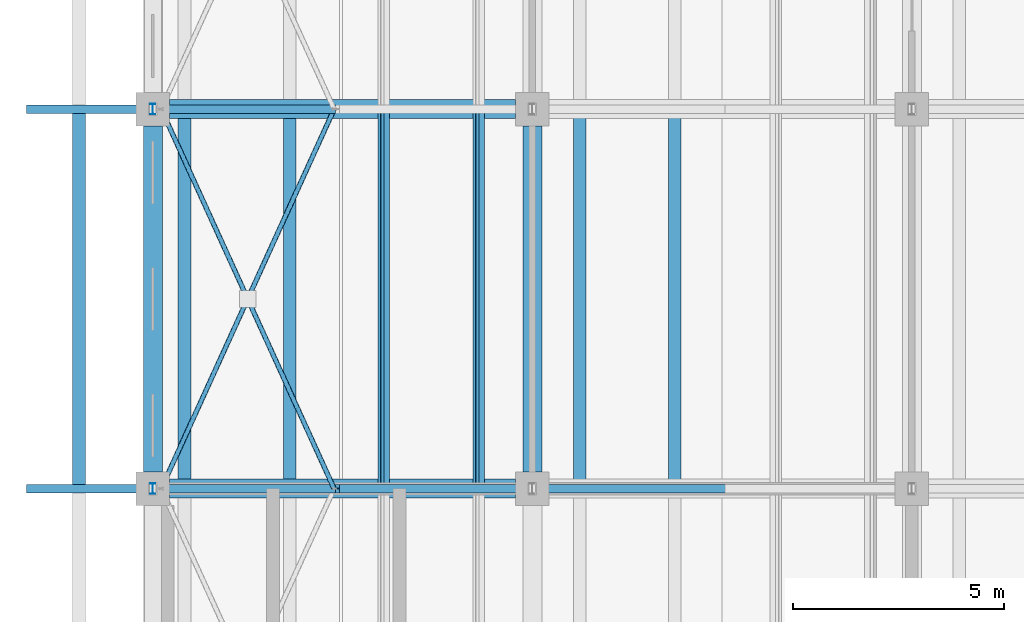
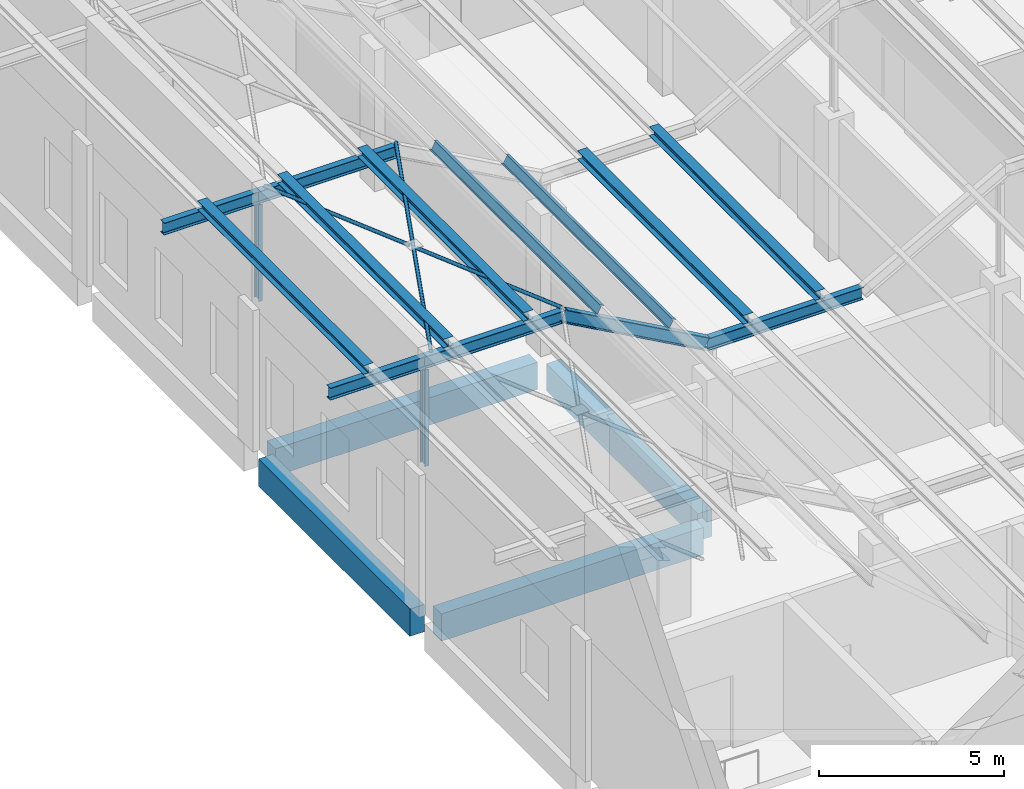
# One storey, part 15 of 437: 18 members, 4 beams.
"""IFC4 building model written with IfcOpenShell, lengths in metres."""

from ifc_helpers import new_model, si_unit, direction, frame, origin, origin_2d, place, context, subcontext, project, spatial, rectangle, hollow_circle, i_section, extrude, material, material_profile, profile_set, type_object, element, save


model = new_model("IFC4")

# Units and contexts
model_context = context("Model", 3, precision=1e-05, world=origin(), true_north=direction((0.0, 1.0)))
body_context = subcontext(model_context, "Body", "Model", "MODEL_VIEW")
ifc_project = project(units=[si_unit("LENGTHUNIT", "METRE"), si_unit("AREAUNIT", "SQUARE_METRE"), si_unit("VOLUMEUNIT", "CUBIC_METRE"), si_unit("PLANEANGLEUNIT", "RADIAN"), si_unit("MASSUNIT", "GRAM", prefix="KILO")], contexts=[model_context])

# Site, building, storey
site_placement = place(None, origin())
site = spatial("IfcSite", under=ifc_project, at=site_placement, CompositionType="ELEMENT")
building_placement = place(site_placement, origin())
building = spatial("IfcBuilding", under=site, at=building_placement, Name="Opaline Strait Convention Centre", CompositionType="ELEMENT")
storey_placement = place(building_placement, frame((0.0, 0.0, 11.5)))
storey = spatial("IfcBuildingStorey", under=building, at=storey_placement, Name="L02", CompositionType="ELEMENT", Elevation=11.5)

# Members
ifc_material_1 = material(Name="Steel Q355B", Category="steel")
ifc_material_profile_1 = material_profile(ifc_material_1, i_section(OverallWidth=0.300048828125, OverallDepth=0.300048828125, WebThickness=0.010009765625, FlangeThickness=0.014892578125, FilletRadius=0.012939453125, at=origin_2d()), Name="HW 300x300x10x15")
ifc_profile_set_1 = profile_set([ifc_material_profile_1], Name="Steel Q355B")
member_type_1 = type_object("IfcMemberType", Name="Crest purlin HW 300x300x10x15", PredefinedType="PURLIN", material=ifc_profile_set_1)
for number, where, z_axis, x_axis, name in (
    (1, (7.25, 27.0, 8.449951171875), (0.0, 1.0, 0.0), (-1.0, 0.0, 0.0), "RU1 purlin facet 1 line 1"),
    (2, (9.75, 27.0, 8.449951171875), (0.0, 1.0, 0.0), (-1.0, 0.0, 0.0), "RU1 purlin facet 1 line 2"),
    (3, (12.25, 27.0, 8.449951171875), (0.0, 1.0, 0.0), (-1.0, 0.0, 0.0), "RU1 purlin facet 1 line 3"),
    (4, (19.125, 27.0, 5.949951171875), (0.0, 1.0, 0.0), (-1.0, 0.0, 0.0), "RU1 purlin facet 3 line 1"),
    (5, (21.375, 27.0, 5.949951171875), (0.0, 1.0, 0.0), (-1.0, 0.0, 0.0), "RU1 purlin facet 3 line 2"),
):
    element("IfcMember", number, at=place(storey_placement, frame(where, z_axis=z_axis, x_axis=x_axis)), inside=storey, type_object=member_type_1, Name=name, PredefinedType="PURLIN", context=body_context, shape_type="SweptSolid", body=[
        extrude(i_section(OverallWidth=0.300048828125, OverallDepth=0.300048828125, WebThickness=0.010009765625, FlangeThickness=0.014892578125, FilletRadius=0.012939453125, at=origin_2d()), origin(), (0.0, 0.0, 1.0), 9.0),
    ])

# Beams
ifc_material_2 = material(Name="Concrete C35", Category="concrete")
ifc_material_profile_2 = material_profile(ifc_material_2, rectangle(XDim=0.449951171875, YDim=0.89990234375, at=origin_2d()), Name="RC 450x900")
ifc_profile_set_2 = profile_set([ifc_material_profile_2], Name="Concrete C35")
beam_type = type_object("IfcBeamType", Name="RC beam 450x900 C35", PredefinedType="BEAM", material=ifc_profile_set_2)
for number, where, z_axis, x_axis, name in (
    (6, (9.39990234375, 27.0, -0.72998046875), (1.0, 0.0, 0.0), (0.0, 1.0, 0.0), "XB1 L02 9/27-18/27"),
    (7, (9.39990234375, 36.0, -0.72998046875), (1.0, 0.0, 0.0), (0.0, 1.0, 0.0), "XB1 L02 9/36-18/36"),
    (8, (9.0, 27.39990234375, -0.72998046875), (0.0, 1.0, 0.0), (-1.0, 0.0, 0.0), "XB1 L02 9/27-9/36"),
    (9, (18.0, 27.39990234375, -0.72998046875), (0.0, 1.0, 0.0), (-1.0, 0.0, 0.0), "XB1 L02 18/27-18/36"),
):
    element("IfcBeam", number, at=place(storey_placement, frame(where, z_axis=z_axis, x_axis=x_axis)), inside=storey, type_object=beam_type, Name=name, PredefinedType="BEAM", context=body_context, shape_type="SweptSolid", body=[
        extrude(rectangle(XDim=0.449951171875, YDim=0.89990234375, at=origin_2d()), origin(), (0.0, 0.0, 1.0), 8.2001953125),
    ])

# Members
ifc_material_profile_3 = material_profile(ifc_material_1, hollow_circle(Radius=0.056884765625, WallThickness=0.006103515625, at=origin_2d()), Name="CHS 114x6")
ifc_profile_set_3 = profile_set([ifc_material_profile_3], Name="Steel Q355B")
member_type_2 = type_object("IfcMemberType", Name="Roof bracing CHS 114x6", PredefinedType="BRACE", material=ifc_profile_set_3)
member_1_placement = place(storey_placement, frame((9.199951171875, 27.0, 8.35693359375), z_axis=(0.414572789354, 0.910016154981, 0.0), x_axis=(-0.910016154981, 0.414572789354, 0.0)))
element("IfcMember", 10, at=member_1_placement, inside=storey, type_object=member_type_2, Name="RX1 roof brace bay 3 at 9", PredefinedType="BRACE", context=body_context, shape_type="SweptSolid", body=[
    extrude(hollow_circle(Radius=0.056884765625, WallThickness=0.006103515625, at=origin_2d()), origin(), (0.0, 0.0, 1.0), 9.889892578125),
])
for number, where, z_axis, x_axis, name in (
    (11, (13.300048828125, 27.0, 8.35693359375), (-0.414570207506, 0.91001733118, 0.0), (-0.91001733118, -0.414570207506, 0.0), "RX1 roof brace bay 3 at 9"),
    (12, (11.197265625, 31.61572265625, 8.35693359375), (-0.414570207506, 0.91001733118, 0.0), (-0.91001733118, -0.414570207506, 0.0), "RX1 roof brace bay 3 at 9"),
):
    element("IfcMember", number, at=place(storey_placement, frame(where, z_axis=z_axis, x_axis=x_axis)), inside=storey, type_object=member_type_2, Name=name, PredefinedType="BRACE", context=body_context, shape_type="SweptSolid", body=[
        extrude(hollow_circle(Radius=0.056884765625, WallThickness=0.006103515625, at=origin_2d()), origin(), (0.0, 0.0, 1.0), 4.81787109375),
    ])
ifc_material_profile_4 = material_profile(ifc_material_1, i_section(OverallWidth=0.125, OverallDepth=0.25, WebThickness=0.006103515625, FlangeThickness=0.009033203125, FilletRadius=0.008056640625, at=origin_2d()), Name="HN 250x125x6x9")
ifc_profile_set_4 = profile_set([ifc_material_profile_4], Name="Steel Q355B")
member_type_3 = type_object("IfcMemberType", Name="Roof post HN 250x125x6x9", PredefinedType="STRUT", material=ifc_profile_set_4)
for number, where, z_axis, x_axis, name in (
    (13, (9.0, 27.0, 4.68994140625), (0.0, 0.0, 1.0), (1.0, 0.0, 0.0), "RP1 roof post at 9/27"),
    (14, (9.0, 36.0, 4.68994140625), (0.0, 0.0, 1.0), (1.0, 0.0, 0.0), "RP1 roof post at 9/36"),
):
    element("IfcMember", number, at=place(storey_placement, frame(where, z_axis=z_axis, x_axis=x_axis)), inside=storey, type_object=member_type_3, Name=name, PredefinedType="STRUT", context=body_context, shape_type="SweptSolid", body=[
        extrude(i_section(OverallWidth=0.125, OverallDepth=0.25, WebThickness=0.006103515625, FlangeThickness=0.009033203125, FilletRadius=0.008056640625, at=origin_2d()), origin(), (0.0, 0.0, 1.0), 3.195068359375),
    ])
ifc_material_profile_5 = material_profile(ifc_material_1, i_section(OverallWidth=0.14990234375, OverallDepth=0.300048828125, WebThickness=0.006591796875, FlangeThickness=0.009033203125, FilletRadius=0.012939453125, at=origin_2d()), Name="HN 300x150x6.5x9")
ifc_profile_set_5 = profile_set([ifc_material_profile_5], Name="Steel Q355B")
member_type_4 = type_object("IfcMemberType", Name="Roof purlin HN 300x150x6.5x9", PredefinedType="PURLIN", material=ifc_profile_set_5)
for number, where, z_axis, x_axis, name in (
    (15, (14.479248046875, 27.0, 7.86279296875), (0.0, 1.0, 0.0), (-0.874157310866, 0.0, 0.485642868639), "RU1 purlin facet 2 line 1"),
    (16, (16.729248046875, 27.0, 6.61279296875), (0.0, 1.0, 0.0), (-0.874157310866, 0.0, 0.485642868639), "RU1 purlin facet 2 line 2"),
):
    element("IfcMember", number, at=place(storey_placement, frame(where, z_axis=z_axis, x_axis=x_axis)), inside=storey, type_object=member_type_4, Name=name, PredefinedType="PURLIN", context=body_context, shape_type="SweptSolid", body=[
        extrude(i_section(OverallWidth=0.14990234375, OverallDepth=0.300048828125, WebThickness=0.006591796875, FlangeThickness=0.009033203125, FilletRadius=0.012939453125, at=origin_2d()), origin(), (0.0, 0.0, 1.0), 9.0),
    ])
ifc_material_profile_6 = material_profile(ifc_material_1, i_section(OverallWidth=0.199951171875, OverallDepth=0.39990234375, WebThickness=0.008056640625, FlangeThickness=0.012939453125, FilletRadius=0.012939453125, at=origin_2d()), Name="HN 400x200x8x13")
ifc_profile_set_6 = profile_set([ifc_material_profile_6], Name="Steel Q355B")
member_type_5 = type_object("IfcMemberType", Name="Roof rafter HN 400x200x8x13", PredefinedType="RAFTER", material=ifc_profile_set_6)
member_2_placement = place(storey_placement, frame((6.0, 27.0, 8.10009765625), z_axis=(1.0, 0.0, 0.0), x_axis=(0.0, 1.0, 0.0)))
element("IfcMember", 17, at=member_2_placement, inside=storey, type_object=member_type_5, Name="RR1 rafter line 3 facet 1", PredefinedType="RAFTER", context=body_context, shape_type="SweptSolid", body=[
    extrude(i_section(OverallWidth=0.199951171875, OverallDepth=0.39990234375, WebThickness=0.008056640625, FlangeThickness=0.012939453125, FilletRadius=0.012939453125, at=origin_2d()), origin(), (0.0, 0.0, 1.0), 3.0),
])
member_3_placement = place(storey_placement, frame((9.0, 27.0, 8.10009765625), z_axis=(1.0, 0.0, 0.0), x_axis=(0.0, 1.0, 0.0)))
element("IfcMember", 18, at=member_3_placement, inside=storey, type_object=member_type_5, Name="RR1 rafter line 3 facet 2", PredefinedType="RAFTER", context=body_context, shape_type="SweptSolid", body=[
    extrude(i_section(OverallWidth=0.199951171875, OverallDepth=0.39990234375, WebThickness=0.008056640625, FlangeThickness=0.012939453125, FilletRadius=0.012939453125, at=origin_2d()), origin(), (0.0, 0.0, 1.0), 4.33154296875),
])
member_4_placement = place(storey_placement, frame((13.33154296875, 27.0, 8.10009765625), z_axis=(0.874157276122, 0.0, -0.485642931179), x_axis=(0.0, 1.0, 0.0)))
element("IfcMember", 19, at=member_4_placement, inside=storey, type_object=member_type_5, Name="RR1 rafter line 3 facet 3", PredefinedType="RAFTER", context=body_context, shape_type="SweptSolid", body=[
    extrude(i_section(OverallWidth=0.199951171875, OverallDepth=0.39990234375, WebThickness=0.008056640625, FlangeThickness=0.012939453125, FilletRadius=0.012939453125, at=origin_2d()), origin(), (0.0, 0.0, 1.0), 5.147705078125),
])
member_5_placement = place(storey_placement, frame((17.83154296875, 27.0, 5.60009765625), z_axis=(1.0, 0.0, 0.0), x_axis=(0.0, 1.0, 0.0)))
element("IfcMember", 20, at=member_5_placement, inside=storey, type_object=member_type_5, Name="RR1 rafter line 3 facet 4", PredefinedType="RAFTER", context=body_context, shape_type="SweptSolid", body=[
    extrude(i_section(OverallWidth=0.199951171875, OverallDepth=0.39990234375, WebThickness=0.008056640625, FlangeThickness=0.012939453125, FilletRadius=0.012939453125, at=origin_2d()), origin(), (0.0, 0.0, 1.0), 4.8369140625),
])
member_6_placement = place(storey_placement, frame((6.0, 36.0, 8.10009765625), z_axis=(1.0, 0.0, 0.0), x_axis=(0.0, 1.0, 0.0)))
element("IfcMember", 21, at=member_6_placement, inside=storey, type_object=member_type_5, Name="RR1 rafter line 4 facet 1", PredefinedType="RAFTER", context=body_context, shape_type="SweptSolid", body=[
    extrude(i_section(OverallWidth=0.199951171875, OverallDepth=0.39990234375, WebThickness=0.008056640625, FlangeThickness=0.012939453125, FilletRadius=0.012939453125, at=origin_2d()), origin(), (0.0, 0.0, 1.0), 3.0),
])
member_7_placement = place(storey_placement, frame((9.0, 36.0, 8.10009765625), z_axis=(1.0, 0.0, 0.0), x_axis=(0.0, 1.0, 0.0)))
element("IfcMember", 22, at=member_7_placement, inside=storey, type_object=member_type_5, Name="RR1 rafter line 4 facet 2", PredefinedType="RAFTER", context=body_context, shape_type="SweptSolid", body=[
    extrude(i_section(OverallWidth=0.199951171875, OverallDepth=0.39990234375, WebThickness=0.008056640625, FlangeThickness=0.012939453125, FilletRadius=0.012939453125, at=origin_2d()), origin(), (0.0, 0.0, 1.0), 4.33154296875),
])

save(model, "model.ifc")
